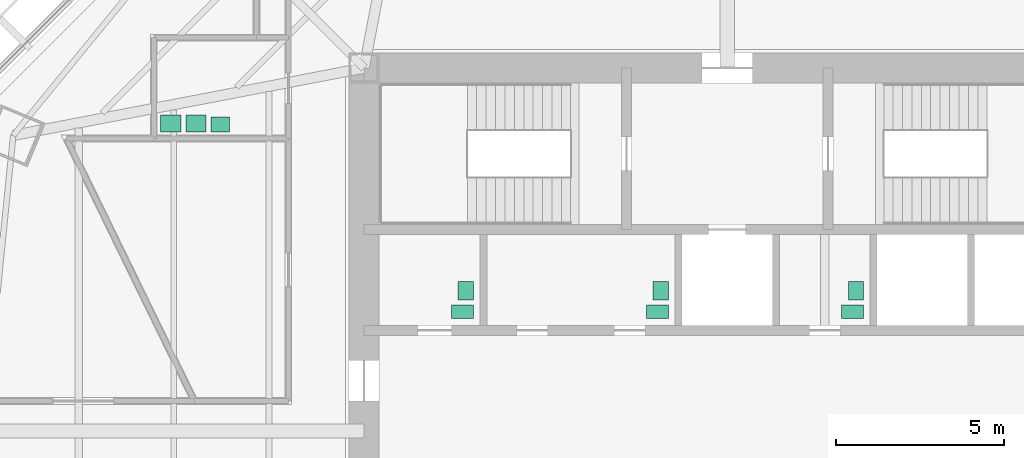
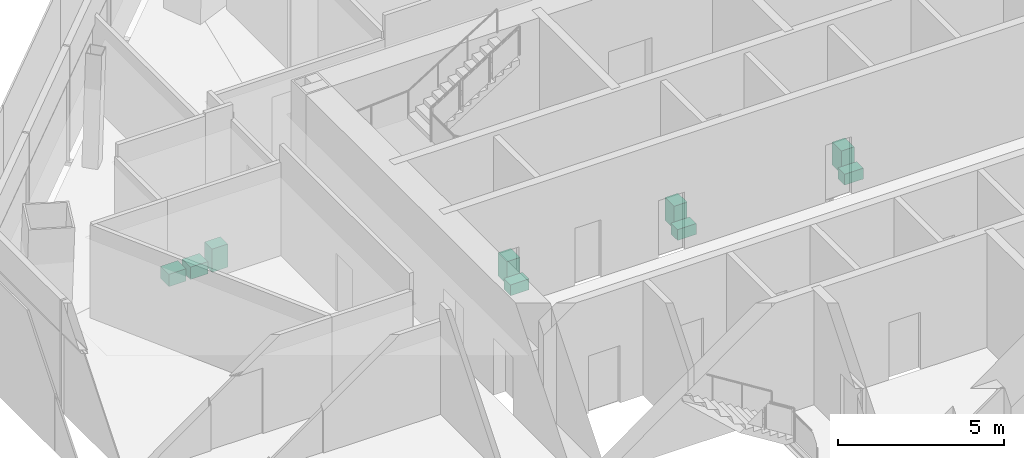
# One storey, part 14 of 14: 9 sanitary terminals.
"""IFC4 building model written with IfcOpenShell, lengths in metres."""

from ifc_helpers import new_model, si_unit, direction, frame, origin, origin_2d, place, context, subcontext, project, spatial, rectangle, extrude, material, type_object, element, save


model = new_model("IFC4")

# Units and contexts
model_context = context("Model", 3, precision=1e-05, world=origin(), true_north=direction((0.0, 1.0)))
body_context = subcontext(model_context, "Body", "Model", "MODEL_VIEW")
ifc_project = project(units=[si_unit("LENGTHUNIT", "METRE"), si_unit("AREAUNIT", "SQUARE_METRE"), si_unit("VOLUMEUNIT", "CUBIC_METRE"), si_unit("PLANEANGLEUNIT", "RADIAN"), si_unit("MASSUNIT", "GRAM", prefix="KILO")], contexts=[model_context])

# Site, building, storey
site_placement = place(None, origin())
site = spatial("IfcSite", under=ifc_project, at=site_placement, CompositionType="ELEMENT")
building_placement = place(site_placement, origin())
building = spatial("IfcBuilding", under=site, at=building_placement, Name="Mashrafa Tower", CompositionType="ELEMENT")
storey_placement = place(building_placement, frame((0.0, 0.0, 180.60009765625)))
storey = spatial("IfcBuildingStorey", under=building, at=storey_placement, Name="L41", CompositionType="ELEMENT", Elevation=180.60009765625)

# Sanitary terminals
ifc_material_1 = material(Name="Stainless steel", Category="steel")
sanitary_terminal_type_1 = type_object("IfcSanitaryTerminalType", Name="Ablution wash station 600 x 500", PredefinedType="WASHHANDBASIN", material=ifc_material_1)
for number, where, z_axis, x_axis, name in (
    (1, (-16.550048828125, 9.14990234375, 0.0), (0.0, 0.0, 1.0), (1.0, 0.0, 0.0), "Ablution wash station Ablution Room L41"),
    (2, (-15.800048828125, 9.14990234375, 0.0), (0.0, 0.0, 1.0), (1.0, 0.0, 0.0), "Ablution wash station Ablution Room L41"),
):
    element("IfcSanitaryTerminal", number, at=place(storey_placement, frame(where, z_axis=z_axis, x_axis=x_axis)), inside=storey, type_object=sanitary_terminal_type_1, Name=name, PredefinedType="WASHHANDBASIN", context=body_context, shape_type="SweptSolid", body=[
        extrude(rectangle(XDim=0.60009765625, YDim=0.5, at=origin_2d()), origin(), (0.0, 0.0, 1.0), 0.449951171875),
    ])
ifc_material_2 = material(Name="Vitreous china")
sanitary_terminal_type_2 = type_object("IfcSanitaryTerminalType", Name="Toilet pan 400 x 650", PredefinedType="TOILETPAN", material=ifc_material_2)
for number, where, z_axis, x_axis, name in (
    (3, (-7.875, 3.550048828125, 0.0), (0.0, 0.0, 1.0), (0.0, 1.0, 0.0), "Toilet pan Accessible WC L41"),
    (4, (-2.074951171875, 3.550048828125, 0.0), (0.0, 0.0, 1.0), (0.0, 1.0, 0.0), "Toilet pan WC Male L41"),
    (5, (3.72509765625, 3.550048828125, 0.0), (0.0, 0.0, 1.0), (0.0, 1.0, 0.0), "Toilet pan WC Female L41"),
):
    element("IfcSanitaryTerminal", number, at=place(storey_placement, frame(where, z_axis=z_axis, x_axis=x_axis)), inside=storey, type_object=sanitary_terminal_type_2, Name=name, PredefinedType="TOILETPAN", context=body_context, shape_type="SweptSolid", body=[
        extrude(rectangle(XDim=0.39990234375, YDim=0.64990234375, at=origin_2d()), origin(), (0.0, 0.0, 1.0), 0.39990234375),
    ])
ifc_material_3 = material(Name="Vitreous china")
sanitary_terminal_type_3 = type_object("IfcSanitaryTerminalType", Name="Wash basin 550 x 450", PredefinedType="WASHHANDBASIN", material=ifc_material_3)
for number, where, z_axis, x_axis, name in (
    (6, (-7.77490234375, 4.175048828125, -0.000244140625), (0.0, 0.0, 1.0), (0.0, 1.0, 0.0), "Wash basin Accessible WC L41"),
    (7, (-1.97509765625, 4.175048828125, -0.000244140625), (0.0, 0.0, 1.0), (0.0, 1.0, 0.0), "Wash basin WC Male L41"),
    (8, (3.824951171875, 4.175048828125, -0.000244140625), (0.0, 0.0, 1.0), (0.0, 1.0, 0.0), "Wash basin WC Female L41"),
    (9, (-15.074951171875, 9.125, -0.000244140625), (0.0, 0.0, 1.0), (1.0, 0.0, 0.0), "Wash basin Ablution Room L41"),
):
    element("IfcSanitaryTerminal", number, at=place(storey_placement, frame(where, z_axis=z_axis, x_axis=x_axis)), inside=storey, type_object=sanitary_terminal_type_3, Name=name, PredefinedType="WASHHANDBASIN", context=body_context, shape_type="SweptSolid", body=[
        extrude(rectangle(XDim=0.550048828125, YDim=0.449951171875, at=origin_2d()), origin(), (0.0, 0.0, 1.0), 0.85009765625),
    ])

save(model, "model.ifc")
